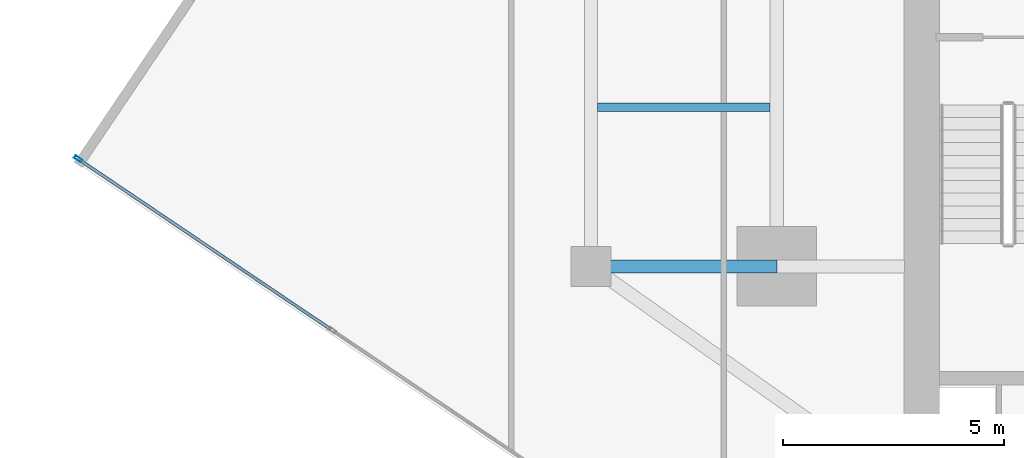
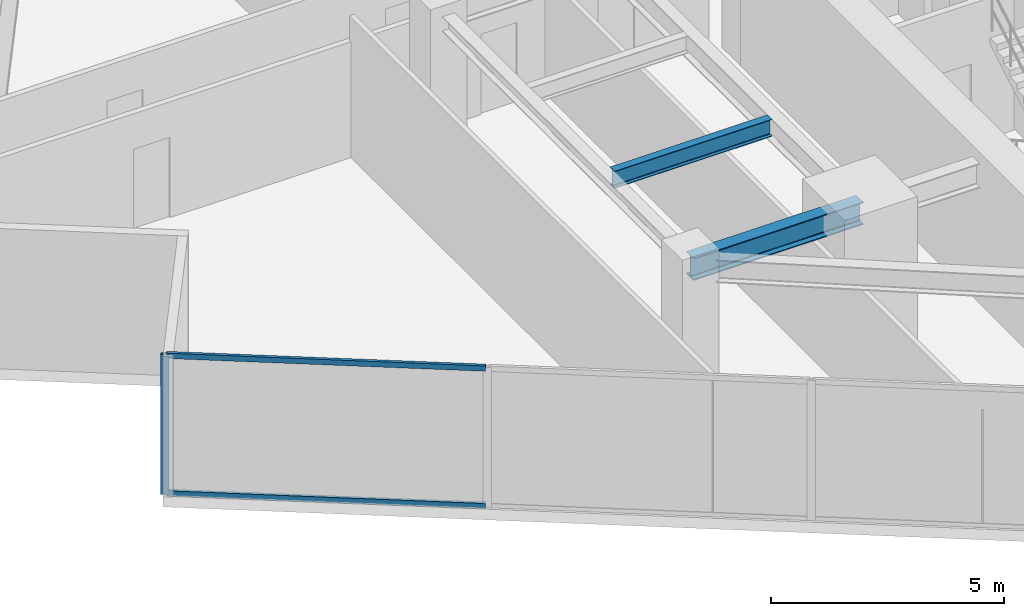
# One storey, part 5 of 27: 3 members, 2 beams, 1 element without a shape of its own.
"""IFC4 building model written with IfcOpenShell, lengths in metres."""

from ifc_helpers import new_model, si_unit, direction, frame, origin, origin_2d, place, context, subcontext, project, spatial, hollow_rectangle, i_section, extrude, source, transform, mapped, material, material_profile, profile_set, type_object, type_shapes, element, aggregate, save


model = new_model("IFC4")

# Units and contexts
model_context = context("Model", 3, precision=1e-05, world=origin(), true_north=direction((0.0, 1.0)))
body_context = subcontext(model_context, "Body", "Model", "MODEL_VIEW")
ifc_project = project(units=[si_unit("LENGTHUNIT", "METRE"), si_unit("AREAUNIT", "SQUARE_METRE"), si_unit("VOLUMEUNIT", "CUBIC_METRE"), si_unit("PLANEANGLEUNIT", "RADIAN"), si_unit("MASSUNIT", "GRAM", prefix="KILO")], contexts=[model_context])

# Site, building, storey
site_placement = place(None, origin())
site = spatial("IfcSite", under=ifc_project, at=site_placement, CompositionType="ELEMENT")
building_placement = place(site_placement, origin())
building = spatial("IfcBuilding", under=site, at=building_placement, Name="Krantzveldt Concourse Tower", CompositionType="ELEMENT")
storey_placement = place(building_placement, frame((0.0, 0.0, 189.64990234375)))
storey = spatial("IfcBuildingStorey", under=building, at=storey_placement, Name="L46", CompositionType="ELEMENT", Elevation=189.64990234375)

# Beams
ifc_material_1 = material(Name="Steel S355JR", Category="steel")
ifc_material_profile_1 = material_profile(ifc_material_1, i_section(OverallWidth=0.300048828125, OverallDepth=0.590087890625, WebThickness=0.012939453125, FlangeThickness=0.02490234375, FilletRadius=0.027099609375, at=origin_2d()), Name="Steel S355JR", Category="steel")
ifc_profile_set_1 = profile_set([ifc_material_profile_1], Name="Steel S355JR - HEA 600")
beam_type_1 = type_object("IfcBeamType", Name="BM-B-HEA600", PredefinedType="BEAM", material=ifc_profile_set_1)
shared_shape_1 = source(origin(), body_context, "Body", "SweptSolid", [
    extrude(i_section(OverallWidth=0.300048828125, OverallDepth=0.590087890625, WebThickness=0.012939453125, FlangeThickness=0.02490234375, FilletRadius=0.027099609375, at=origin_2d()), origin(), (0.0, 0.0, 1.0), 4.199951171875),
])
type_shapes(beam_type_1, [shared_shape_1])
beam_1_placement = place(storey_placement, frame((21.0, 15.89990234375, 3.375), z_axis=(1.0, 0.0, 0.0), x_axis=(0.0, 1.0, 0.0)))
element("IfcBeam", 1, at=beam_1_placement, inside=storey, type_object=beam_type_1, Name="L46 Tower Girder BR-RL1", PredefinedType="BEAM", context=body_context, shape_type="MappedRepresentation", body=[
    mapped(shared_shape_1, transform((0.0, 0.0, 0.0), x_axis=(1.0, 0.0, 0.0), y_axis=(0.0, 1.0, 0.0), z_axis=(0.0, 0.0, 1.0), scale=1.0)),
])
ifc_material_profile_2 = material_profile(ifc_material_1, i_section(OverallWidth=0.18994140625, OverallDepth=0.449951171875, WebThickness=0.009521484375, FlangeThickness=0.0146484375, FilletRadius=0.02099609375, at=origin_2d()), Name="Steel S355JR", Category="steel")
ifc_profile_set_2 = profile_set([ifc_material_profile_2], Name="Steel S355JR - IPE 450")
beam_type_2 = type_object("IfcBeamType", Name="BM-J-IPE450", PredefinedType="JOIST", material=ifc_profile_set_2)
shared_shape_2 = source(origin(), body_context, "Body", "SweptSolid", [
    extrude(i_section(OverallWidth=0.18994140625, OverallDepth=0.449951171875, WebThickness=0.009521484375, FlangeThickness=0.0146484375, FilletRadius=0.02099609375, at=origin_2d()), origin(), (0.0, 0.0, 1.0), 3.900146484375),
])
type_shapes(beam_type_2, [shared_shape_2])
beam_2_placement = place(storey_placement, frame((21.14990234375, 19.5, 3.445068359375), z_axis=(1.0, 0.0, 0.0), x_axis=(0.0, 1.0, 0.0)))
element("IfcBeam", 2, at=beam_2_placement, inside=storey, type_object=beam_type_2, Name="L46 Secondary Floor Joist JW-1", PredefinedType="JOIST", context=body_context, shape_type="MappedRepresentation", body=[
    mapped(shared_shape_2, transform((0.0, 0.0, 0.0), x_axis=(1.0, 0.0, 0.0), y_axis=(0.0, 1.0, 0.0), z_axis=(0.0, 0.0, 1.0), scale=1.0)),
])

# Curtain wall, members
ifc_material_2 = material(Name="Anodised aluminium 6063-T6", Category="aluminium")
curtain_wall_type = type_object("IfcCurtainWallType", Name="CW3", PredefinedType="USERDEFINED", material=ifc_material_2)
curtain_wall_placement = place(storey_placement, origin())
curtain_wall = element("IfcCurtainWall", 3, at=curtain_wall_placement, inside=storey, type_object=curtain_wall_type, Name="CW-L46-F04", ObjectType="UNITISED CURTAIN WALL", PredefinedType="USERDEFINED")
ifc_material_profile_3 = material_profile(ifc_material_2, hollow_rectangle(XDim=0.070068359375, YDim=0.179931640625, WallThickness=0.0048828125, at=origin_2d()), Name="Anodised aluminium 6063-T6", Category="aluminium")
ifc_profile_set_3 = profile_set([ifc_material_profile_3], Name="Anodised aluminium 6063-T6 - ALU-MULL 180x70x5")
member_type_1 = type_object("IfcMemberType", Name="CW-MUL-180", PredefinedType="MULLION", material=ifc_profile_set_3)
shared_shape_3 = source(origin(), body_context, "Body", "SweptSolid", [
    extrude(hollow_rectangle(XDim=0.070068359375, YDim=0.179931640625, WallThickness=0.0048828125, at=origin_2d()), origin(), (0.0, 0.0, 1.0), 3.670166015625),
])
type_shapes(member_type_1, [shared_shape_3])
member_1_placement = place(storey_placement, frame((9.40771484375, 18.3291015625, 0.0), z_axis=(0.0, 0.0, 1.0), x_axis=(0.559192810447, 0.829037635301, 0.0)))
member_1 = element("IfcMember", 4, at=member_1_placement, type_object=member_type_1, Name="CW-Z34 mullion 1", PredefinedType="MULLION", context=body_context, shape_type="MappedRepresentation", body=[
    mapped(shared_shape_3, transform((0.0, 0.0, 0.0), x_axis=(1.0, 0.0, 0.0), y_axis=(0.0, 1.0, 0.0), z_axis=(0.0, 0.0, 1.0), scale=1.0)),
])
ifc_material_profile_4 = material_profile(ifc_material_2, hollow_rectangle(XDim=0.070068359375, YDim=0.139892578125, WallThickness=0.0048828125, at=origin_2d()), Name="Anodised aluminium 6063-T6", Category="aluminium")
ifc_profile_set_4 = profile_set([ifc_material_profile_4], Name="Anodised aluminium 6063-T6 - ALU-TRAN 140x70x5")
member_type_2 = type_object("IfcMemberType", Name="CW-TRN-150", PredefinedType="USERDEFINED", material=ifc_profile_set_4)
shared_shape_4 = source(origin(), body_context, "Body", "SweptSolid", [
    extrude(hollow_rectangle(XDim=0.070068359375, YDim=0.139892578125, WallThickness=0.0048828125, at=origin_2d()), origin(), (0.0, 0.0, 1.0), 6.85498046875),
])
type_shapes(member_type_2, [shared_shape_4])
member_2_placement = place(storey_placement, frame((9.436767578125, 18.3095703125, 0.03515625), z_axis=(0.829041027493, -0.559187781281, 0.0), x_axis=(0.559187781281, 0.829041027493, 0.0)))
member_2 = element("IfcMember", 5, at=member_2_placement, type_object=member_type_2, Name="CW-Z34 transom 1.1", ObjectType="TRANSOM", PredefinedType="USERDEFINED", context=body_context, shape_type="MappedRepresentation", body=[
    mapped(shared_shape_4, transform((0.0, 0.0, 0.0), x_axis=(1.0, 0.0, 0.0), y_axis=(0.0, 1.0, 0.0), z_axis=(0.0, 0.0, 1.0), scale=1.0)),
])
member_3_placement = place(storey_placement, frame((9.436767578125, 18.3095703125, 3.635009765625), z_axis=(0.829041027493, -0.559187781281, 0.0), x_axis=(0.559187781281, 0.829041027493, 0.0)))
member_3 = element("IfcMember", 6, at=member_3_placement, type_object=member_type_2, Name="CW-Z34 transom 1.2", ObjectType="TRANSOM", PredefinedType="USERDEFINED", context=body_context, shape_type="MappedRepresentation", body=[
    mapped(shared_shape_4, transform((0.0, 0.0, 0.0), x_axis=(1.0, 0.0, 0.0), y_axis=(0.0, 1.0, 0.0), z_axis=(0.0, 0.0, 1.0), scale=1.0)),
])
aggregate(curtain_wall, [member_1, member_2, member_3])

save(model, "model.ifc")
